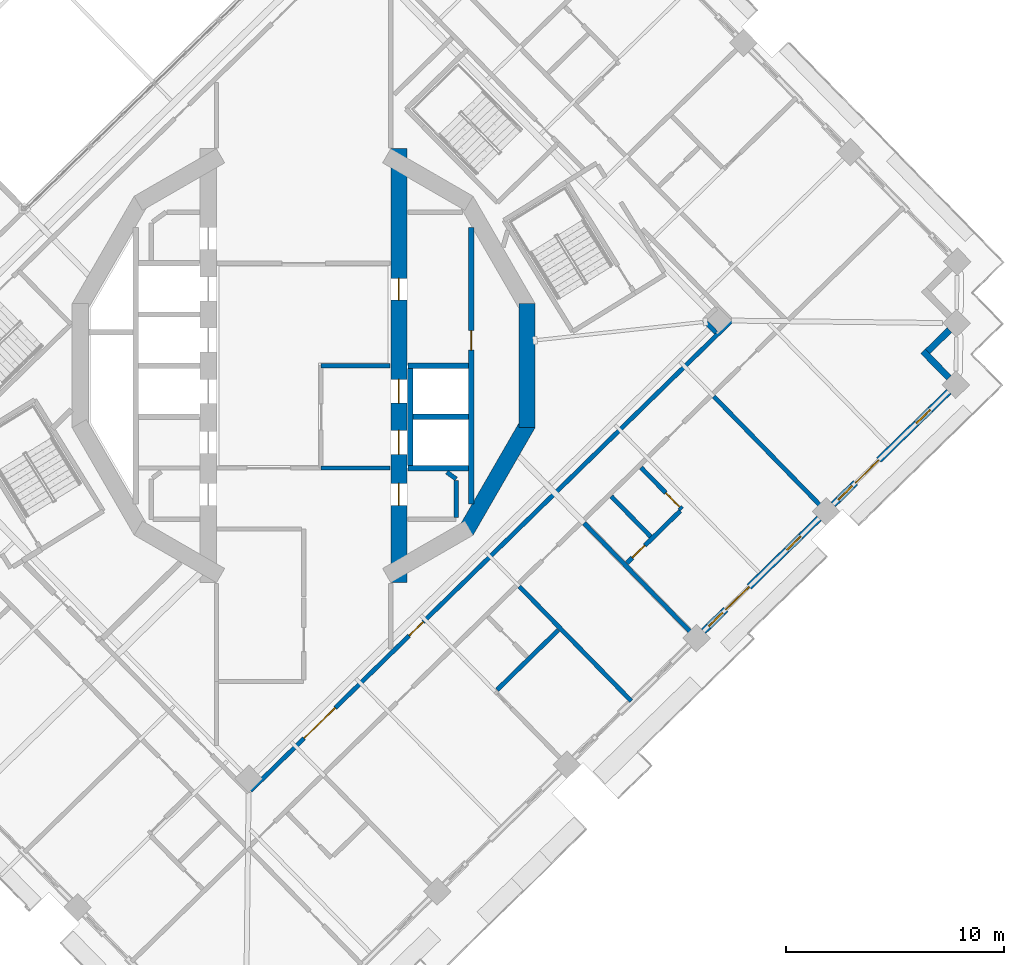
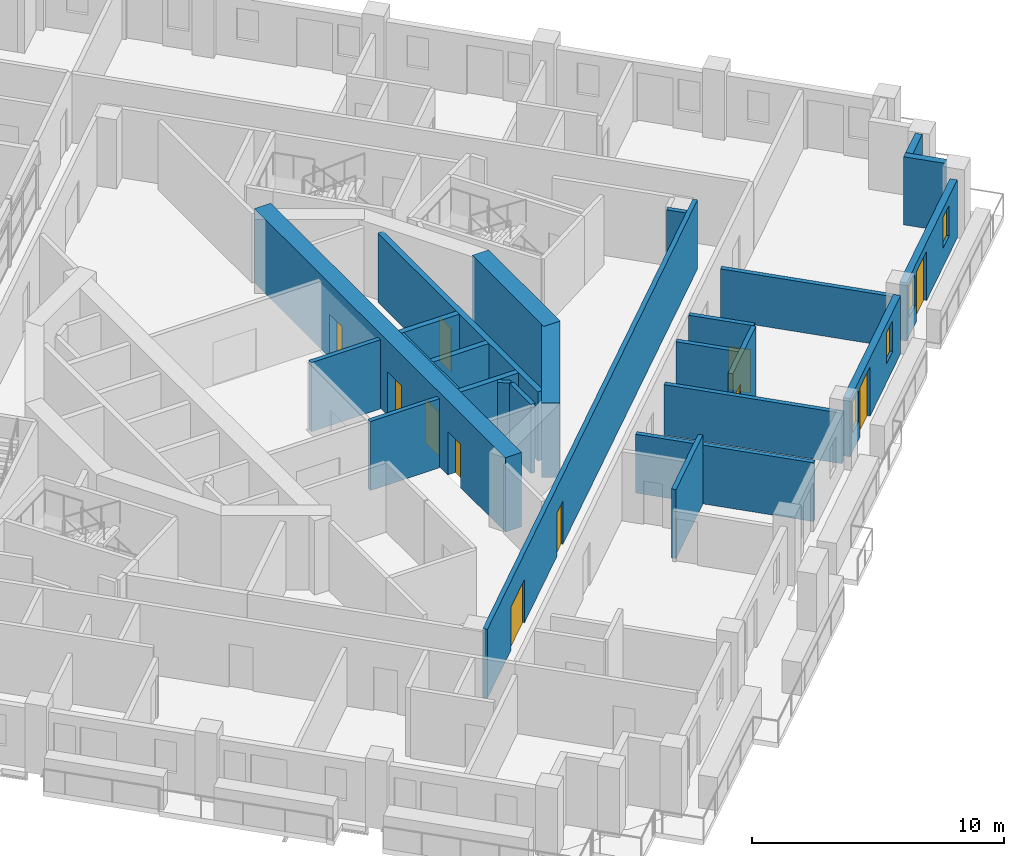
# One storey, part 8 of 19: 25 walls, 11 doors, 4 windows, 15 openings.
"""IFC4 building model written with IfcOpenShell, lengths in metres."""

from ifc_helpers import new_model, si_unit, direction, frame, frame_2d, origin, place, context, subcontext, project, spatial, rectangle, extrude, material, layer, layer_set, type_object, element, fill, save


model = new_model("IFC4")

# Units and contexts
model_context = context("Model", 3, precision=1e-05, world=origin(), true_north=direction((0.0, 1.0)))
body_context = subcontext(model_context, "Body", "Model", "MODEL_VIEW")
ifc_project = project(units=[si_unit("LENGTHUNIT", "METRE"), si_unit("AREAUNIT", "SQUARE_METRE"), si_unit("VOLUMEUNIT", "CUBIC_METRE"), si_unit("PLANEANGLEUNIT", "RADIAN"), si_unit("MASSUNIT", "GRAM", prefix="KILO")], contexts=[model_context])

# Site, building, storey
site_placement = place(None, origin())
site = spatial("IfcSite", under=ifc_project, at=site_placement, CompositionType="ELEMENT")
building_placement = place(site_placement, origin())
building = spatial("IfcBuilding", under=site, at=building_placement, Name="Cantera Rosa Tower", CompositionType="ELEMENT")
storey_placement = place(building_placement, frame((0.0, 0.0, 223.39990234375)))
storey = spatial("IfcBuildingStorey", under=building, at=storey_placement, Name="L48", CompositionType="ELEMENT", Elevation=223.39990234375)

# Wall, openings, doors
ifc_material_1 = material(Name="Gypsum board partition")
ifc_layer_1 = layer(ifc_material_1, 0.199951171875)
ifc_layer_set_1 = layer_set([ifc_layer_1], Name="CORRIDOR WALL 200 H3350")
wall_type_1 = type_object("IfcWallType", Name="CORRIDOR WALL 200 H3350", PredefinedType="PARTITIONING", material=ifc_layer_set_1)
wall_1_placement = place(storey_placement, frame((-2.4404296875, -19.51025390625, 0.0), z_axis=(0.0, 0.0, 1.0), x_axis=(0.715289138653, 0.698828625719, 0.0)))
wall_1 = element("IfcWall", 1, at=wall_1_placement, inside=storey, type_object=wall_type_1, Name="CORRIDOR WALL L48-059", PredefinedType="PARTITIONING", context=body_context, shape_type="SweptSolid", body=[
    extrude(rectangle(XDim=30.880126953125, YDim=0.199951171875, at=frame_2d((15.43994140625, 0.0))), origin(), (0.0, 0.0, 1.0), 3.35009765625),
])
opening_1_placement = place(wall_1_placement, frame((10.1845703125, 0.0, 0.0)))
opening_1 = element("IfcOpeningElement", 2, at=opening_1_placement, cuts=wall_1, Name="Opening L48-011", PredefinedType="OPENING", context=body_context, shape_type="SweptSolid", body=[
    extrude(rectangle(XDim=0.89990234375, YDim=2.10009765625, at=frame_2d((0.449951171875, 1.050048828125))), frame((0.0, 0.10986328125, 0.0), z_axis=(0.0, -1.0, 0.0), x_axis=(1.0, 0.0, 0.0)), (0.0, 0.0, 1.0), 0.219970703125),
])
opening_2_placement = place(wall_1_placement, frame((3.44189453125, 0.0, 0.0)))
opening_2 = element("IfcOpeningElement", 3, at=opening_2_placement, cuts=wall_1, Name="Opening L48-014", PredefinedType="OPENING", context=body_context, shape_type="SweptSolid", body=[
    extrude(rectangle(XDim=2.0, YDim=2.10009765625, at=frame_2d((1.0, 1.050048828125))), frame((0.0, 0.10986328125, 0.0), z_axis=(0.0, -1.0, 0.0), x_axis=(1.0, 0.0, 0.0)), (0.0, 0.0, 1.0), 0.219970703125),
])
ifc_material_2 = material(Name="Steel S355J2 (EN 10025-2)", Category="steel")
door_type_1 = type_object("IfcDoorType", Name="LOBBY SCREEN DOOR 2000x2100", OperationType="NOTDEFINED", PredefinedType="DOOR", material=ifc_material_2)
door_1_placement = place(opening_2_placement, origin())
door_1 = element("IfcDoor", 4, at=door_1_placement, inside=storey, type_object=door_type_1, Name="DOOR L48-014", OperationType="NOTDEFINED", OverallHeight=2.10009765625, OverallWidth=2.0, PredefinedType="DOOR", context=body_context, shape_type="SweptSolid", body=[
    extrude(rectangle(XDim=2.0, YDim=2.10009765625, at=frame_2d((1.0, 1.050048828125))), frame((0.0, 0.02490234375, 0.0), z_axis=(0.0, -1.0, 0.0), x_axis=(1.0, 0.0, 0.0)), (0.0, 0.0, 1.0), 0.050048828125),
])
fill(opening_2, door_1)
ifc_material_3 = material(Name="Timber door leaf", Category="wood")
door_type_2 = type_object("IfcDoorType", Name="SERVICE DOOR 900x2100", OperationType="NOTDEFINED", PredefinedType="DOOR", material=ifc_material_3)
door_2_placement = place(opening_1_placement, origin())
door_2 = element("IfcDoor", 5, at=door_2_placement, inside=storey, type_object=door_type_2, Name="DOOR L48-011", OperationType="NOTDEFINED", OverallHeight=2.10009765625, OverallWidth=0.89990234375, PredefinedType="DOOR", context=body_context, shape_type="SweptSolid", body=[
    extrude(rectangle(XDim=0.89990234375, YDim=2.10009765625, at=frame_2d((0.449951171875, 1.050048828125))), frame((0.0, 0.02490234375, 0.0), z_axis=(0.0, -1.0, 0.0), x_axis=(1.0, 0.0, 0.0)), (0.0, 0.0, 1.0), 0.050048828125),
])
fill(opening_1, door_2)

# Walls
ifc_material_4 = material(Name="Hollow clay masonry with cantera stone cladding", Category="masonry")
ifc_layer_2 = layer(ifc_material_4, 0.300048828125)
ifc_layer_set_2 = layer_set([ifc_layer_2], Name="EW-LOGGIA 300")
wall_type_2 = type_object("IfcWallType", Name="EW-LOGGIA 300", PredefinedType="SOLIDWALL", material=ifc_layer_set_2)
wall_2_placement = place(storey_placement, frame((29.623291015625, -0.556884765625, 0.0), z_axis=(0.0, 0.0, 1.0), x_axis=(-0.69880105094, 0.715316077832, 0.0)))
element("IfcWall", 6, at=wall_2_placement, inside=storey, type_object=wall_type_2, Name="EN-L48-W26a", PredefinedType="SOLIDWALL", context=body_context, shape_type="SweptSolid", body=[
    extrude(rectangle(XDim=1.699951171875, YDim=0.300048828125, at=frame_2d((0.85009765625, 0.0))), origin(), (0.0, 0.0, 1.0), 3.300048828125),
])
wall_3_placement = place(storey_placement, frame((28.6474609375, 0.65673828125, 0.0), z_axis=(0.0, 0.0, 1.0), x_axis=(0.715341715727, 0.698774806172, 0.0)))
element("IfcWall", 7, at=wall_3_placement, inside=storey, type_object=wall_type_2, Name="EN-L48-W26b", PredefinedType="SOLIDWALL", context=body_context, shape_type="SweptSolid", body=[
    extrude(rectangle(XDim=1.39990234375, YDim=0.300048828125, at=frame_2d((0.699951171875, 0.0))), origin(), (0.0, 0.0, 1.0), 3.300048828125),
])

# Wall, openings, windows, door
ifc_material_5 = material(Name="Hollow clay masonry with cantera stone cladding", Category="masonry")
ifc_layer_3 = layer(ifc_material_5, 0.300048828125)
ifc_layer_set_3 = layer_set([ifc_layer_3], Name="EW-LOGGIA 300 H2820")
wall_type_3 = type_object("IfcWallType", Name="EW-LOGGIA 300 H2820", PredefinedType="SOLIDWALL", material=ifc_layer_set_3)
wall_4_placement = place(storey_placement, frame((18.357177734375, -12.19287109375, 0.0), z_axis=(0.0, 0.0, 1.0), x_axis=(0.715300826176, 0.698816662703, 0.0)))
wall_4 = element("IfcWall", 8, at=wall_4_placement, inside=storey, type_object=wall_type_3, Name="EN-L48-W24", PredefinedType="SOLIDWALL", context=body_context, shape_type="SweptSolid", body=[
    extrude(rectangle(XDim=7.420166015625, YDim=0.300048828125, at=frame_2d((3.7099609375, 0.0))), origin(), (0.0, 0.0, 1.0), 2.820068359375),
])
opening_3_placement = place(wall_4_placement, frame((0.330078125, 0.0, 0.89990234375)))
opening_3 = element("IfcOpeningElement", 9, at=opening_3_placement, cuts=wall_4, Name="Opening L48-W46", PredefinedType="OPENING", context=body_context, shape_type="SweptSolid", body=[
    extrude(rectangle(XDim=0.89990234375, YDim=1.5, at=frame_2d((0.449951171875, 0.75))), frame((0.0, 0.159912109375, 0.0), z_axis=(0.0, -1.0, 0.0), x_axis=(1.0, 0.0, 0.0)), (0.0, 0.0, 1.0), 0.320068359375),
])
opening_4_placement = place(wall_4_placement, frame((1.429931640625, 0.0, 0.0)))
opening_4 = element("IfcOpeningElement", 10, at=opening_4_placement, cuts=wall_4, Name="Opening L48-TD47", PredefinedType="OPENING", context=body_context, shape_type="SweptSolid", body=[
    extrude(rectangle(XDim=1.5, YDim=2.39990234375, at=frame_2d((0.75, 1.199951171875))), frame((0.0, 0.159912109375, 0.0), z_axis=(0.0, -1.0, 0.0), x_axis=(1.0, 0.0, 0.0)), (0.0, 0.0, 1.0), 0.320068359375),
])
opening_5_placement = place(wall_4_placement, frame((5.340087890625, 0.0, 0.89990234375)))
opening_5 = element("IfcOpeningElement", 11, at=opening_5_placement, cuts=wall_4, Name="Opening L48-W48", PredefinedType="OPENING", context=body_context, shape_type="SweptSolid", body=[
    extrude(rectangle(XDim=0.89990234375, YDim=1.5, at=frame_2d((0.449951171875, 0.75))), frame((0.0, 0.159912109375, 0.0), z_axis=(0.0, -1.0, 0.0), x_axis=(1.0, 0.0, 0.0)), (0.0, 0.0, 1.0), 0.320068359375),
])
ifc_material_6 = material(Name="Aluminium frame with clear glass", Category="aluminium")
window_type = type_object("IfcWindowType", Name="Residential window 900x1500", PartitioningType="SINGLE_PANEL", PredefinedType="WINDOW", material=ifc_material_6)
window_1_placement = place(opening_3_placement, origin())
window_1 = element("IfcWindow", 12, at=window_1_placement, inside=storey, type_object=window_type, Name="WINDOW L48-W46", OverallHeight=1.5, OverallWidth=0.89990234375, PartitioningType="SINGLE_PANEL", PredefinedType="WINDOW", context=body_context, shape_type="SweptSolid", body=[
    extrude(rectangle(XDim=0.89990234375, YDim=1.5, at=frame_2d((0.449951171875, 0.75))), frame((0.0, 0.030029296875, 0.0), z_axis=(0.0, -1.0, 0.0), x_axis=(1.0, 0.0, 0.0)), (0.0, 0.0, 1.0), 0.06005859375),
])
fill(opening_3, window_1)
window_2_placement = place(opening_5_placement, origin())
window_2 = element("IfcWindow", 13, at=window_2_placement, inside=storey, type_object=window_type, Name="WINDOW L48-W48", OverallHeight=1.5, OverallWidth=0.89990234375, PartitioningType="SINGLE_PANEL", PredefinedType="WINDOW", context=body_context, shape_type="SweptSolid", body=[
    extrude(rectangle(XDim=0.89990234375, YDim=1.5, at=frame_2d((0.449951171875, 0.75))), frame((0.0, 0.030029296875, 0.0), z_axis=(0.0, -1.0, 0.0), x_axis=(1.0, 0.0, 0.0)), (0.0, 0.0, 1.0), 0.06005859375),
])
fill(opening_5, window_2)
ifc_material_7 = material(Name="Aluminium frame with clear glass", Category="aluminium")
door_type_3 = type_object("IfcDoorType", Name="TD-R 1500x2400", OperationType="NOTDEFINED", PredefinedType="DOOR", material=ifc_material_7)
door_3_placement = place(opening_4_placement, origin())
door_3 = element("IfcDoor", 14, at=door_3_placement, inside=storey, type_object=door_type_3, Name="LOGGIA DOOR L48-TD47", OperationType="SLIDING_TO_LEFT", OverallHeight=2.39990234375, OverallWidth=1.5, PredefinedType="DOOR", context=body_context, shape_type="SweptSolid", body=[
    extrude(rectangle(XDim=1.5, YDim=2.39990234375, at=frame_2d((0.75, 1.199951171875))), frame((0.0, 0.02490234375, 0.0), z_axis=(0.0, -1.0, 0.0), x_axis=(1.0, 0.0, 0.0)), (0.0, 0.0, 1.0), 0.050048828125),
])
fill(opening_4, door_3)

wall_5_placement = place(storey_placement, frame((24.308349609375, -6.37841796875, 0.0), z_axis=(0.0, 0.0, 1.0), x_axis=(0.715300826176, 0.698816662703, 0.0)))
wall_5 = element("IfcWall", 15, at=wall_5_placement, inside=storey, type_object=wall_type_3, Name="EN-L48-W25", PredefinedType="SOLIDWALL", context=body_context, shape_type="SweptSolid", body=[
    extrude(rectangle(XDim=7.420166015625, YDim=0.300048828125, at=frame_2d((3.7099609375, 0.0))), origin(), (0.0, 0.0, 1.0), 2.820068359375),
])
opening_6_placement = place(wall_5_placement, frame((0.330078125, 0.0, 0.89990234375)))
opening_6 = element("IfcOpeningElement", 16, at=opening_6_placement, cuts=wall_5, Name="Opening L48-W49", PredefinedType="OPENING", context=body_context, shape_type="SweptSolid", body=[
    extrude(rectangle(XDim=0.89990234375, YDim=1.5, at=frame_2d((0.449951171875, 0.75))), frame((0.0, 0.159912109375, 0.0), z_axis=(0.0, -1.0, 0.0), x_axis=(1.0, 0.0, 0.0)), (0.0, 0.0, 1.0), 0.320068359375),
])
opening_7_placement = place(wall_5_placement, frame((1.429931640625, 0.0, 0.0)))
opening_7 = element("IfcOpeningElement", 17, at=opening_7_placement, cuts=wall_5, Name="Opening L48-TD50", PredefinedType="OPENING", context=body_context, shape_type="SweptSolid", body=[
    extrude(rectangle(XDim=1.5, YDim=2.39990234375, at=frame_2d((0.75, 1.199951171875))), frame((0.0, 0.159912109375, 0.0), z_axis=(0.0, -1.0, 0.0), x_axis=(1.0, 0.0, 0.0)), (0.0, 0.0, 1.0), 0.320068359375),
])
opening_8_placement = place(wall_5_placement, frame((5.340087890625, 0.0, 0.89990234375)))
opening_8 = element("IfcOpeningElement", 18, at=opening_8_placement, cuts=wall_5, Name="Opening L48-W51", PredefinedType="OPENING", context=body_context, shape_type="SweptSolid", body=[
    extrude(rectangle(XDim=0.89990234375, YDim=1.5, at=frame_2d((0.449951171875, 0.75))), frame((0.0, 0.159912109375, 0.0), z_axis=(0.0, -1.0, 0.0), x_axis=(1.0, 0.0, 0.0)), (0.0, 0.0, 1.0), 0.320068359375),
])
window_3_placement = place(opening_6_placement, origin())
window_3 = element("IfcWindow", 19, at=window_3_placement, inside=storey, type_object=window_type, Name="WINDOW L48-W49", OverallHeight=1.5, OverallWidth=0.89990234375, PartitioningType="SINGLE_PANEL", PredefinedType="WINDOW", context=body_context, shape_type="SweptSolid", body=[
    extrude(rectangle(XDim=0.89990234375, YDim=1.5, at=frame_2d((0.449951171875, 0.75))), frame((0.0, 0.030029296875, 0.0), z_axis=(0.0, -1.0, 0.0), x_axis=(1.0, 0.0, 0.0)), (0.0, 0.0, 1.0), 0.06005859375),
])
fill(opening_6, window_3)
window_4_placement = place(opening_8_placement, origin())
window_4 = element("IfcWindow", 20, at=window_4_placement, inside=storey, type_object=window_type, Name="WINDOW L48-W51", OverallHeight=1.5, OverallWidth=0.89990234375, PartitioningType="SINGLE_PANEL", PredefinedType="WINDOW", context=body_context, shape_type="SweptSolid", body=[
    extrude(rectangle(XDim=0.89990234375, YDim=1.5, at=frame_2d((0.449951171875, 0.75))), frame((0.0, 0.030029296875, 0.0), z_axis=(0.0, -1.0, 0.0), x_axis=(1.0, 0.0, 0.0)), (0.0, 0.0, 1.0), 0.06005859375),
])
fill(opening_8, window_4)
door_4_placement = place(opening_7_placement, origin())
door_4 = element("IfcDoor", 21, at=door_4_placement, inside=storey, type_object=door_type_3, Name="LOGGIA DOOR L48-TD50", OperationType="SLIDING_TO_LEFT", OverallHeight=2.39990234375, OverallWidth=1.5, PredefinedType="DOOR", context=body_context, shape_type="SweptSolid", body=[
    extrude(rectangle(XDim=1.5, YDim=2.39990234375, at=frame_2d((0.75, 1.199951171875))), frame((0.0, 0.02490234375, 0.0), z_axis=(0.0, -1.0, 0.0), x_axis=(1.0, 0.0, 0.0)), (0.0, 0.0, 1.0), 0.050048828125),
])
fill(opening_7, door_4)

# Walls
ifc_material_8 = material(Name="Gypsum board partition")
ifc_layer_4 = layer(ifc_material_8, 0.199951171875)
ifc_layer_set_4 = layer_set([ifc_layer_4], Name="PARTITION 200 H3350")
wall_type_4 = type_object("IfcWallType", Name="PARTITION 200 H3350", PredefinedType="PARTITIONING", material=ifc_layer_set_4)
wall_6_placement = place(storey_placement, frame((6.572509765625, -4.888427734375, 0.0), z_axis=(0.0, 0.0, 1.0), x_axis=(0.808176867567, -0.588939853236, 0.0)))
element("IfcWall", 22, at=wall_6_placement, inside=storey, type_object=wall_type_4, Name="PARTITION L48-086", PredefinedType="PARTITIONING", context=body_context, shape_type="SweptSolid", body=[
    extrude(rectangle(XDim=0.529052734375, YDim=0.199951171875, at=frame_2d((0.2646484375, 0.0))), origin(), (0.0, 0.0, 1.0), 3.35009765625),
])
wall_7_placement = place(storey_placement, frame((7.0, -5.280029296875, 0.0), z_axis=(0.0, 0.0, 1.0), x_axis=(0.0, -1.0, 0.0)))
element("IfcWall", 23, at=wall_7_placement, inside=storey, type_object=wall_type_4, Name="PARTITION L48-089", PredefinedType="PARTITIONING", context=body_context, shape_type="SweptSolid", body=[
    extrude(rectangle(XDim=1.68994140625, YDim=0.199951171875, at=frame_2d((0.844970703125, 0.0))), origin(), (0.0, 0.0, 1.0), 3.35009765625),
])
wall_8_placement = place(storey_placement, frame((11.689453125, -12.136474609375, 0.0), z_axis=(0.0, 0.0, 1.0), x_axis=(-0.715279883124, -0.698838099132, 0.0)))
element("IfcWall", 24, at=wall_8_placement, inside=storey, type_object=wall_type_4, Name="PARTITION L48-102", PredefinedType="PARTITIONING", context=body_context, shape_type="SweptSolid", body=[
    extrude(rectangle(XDim=3.920166015625, YDim=0.199951171875, at=frame_2d((1.9599609375, 0.0))), origin(), (0.0, 0.0, 1.0), 3.35009765625),
])
wall_9_placement = place(storey_placement, frame((14.1298828125, -6.005615234375, 0.0), z_axis=(0.0, 0.0, 1.0), x_axis=(0.698826236875, -0.715291472517, 0.0)))
element("IfcWall", 25, at=wall_9_placement, inside=storey, type_object=wall_type_4, Name="PARTITION L48-112", PredefinedType="PARTITIONING", context=body_context, shape_type="SweptSolid", body=[
    extrude(rectangle(XDim=2.580078125, YDim=0.199951171875, at=frame_2d((1.2900390625, 0.0))), origin(), (0.0, 0.0, 1.0), 3.35009765625),
])

# Wall, opening, door
wall_10_placement = place(storey_placement, frame((15.48876953125, -4.677734375, 0.0), z_axis=(0.0, 0.0, 1.0), x_axis=(0.698860936735, -0.715257569765, 0.0)))
wall_10 = element("IfcWall", 26, at=wall_10_placement, inside=storey, type_object=wall_type_4, Name="PARTITION L48-116", PredefinedType="PARTITIONING", context=body_context, shape_type="SweptSolid", body=[
    extrude(rectangle(XDim=2.68017578125, YDim=0.199951171875, at=frame_2d((1.340087890625, 0.0))), origin(), (0.0, 0.0, 1.0), 3.35009765625),
])
opening_9_placement = place(wall_10_placement, frame((1.6298828125, 0.0, 0.0)))
opening_9 = element("IfcOpeningElement", 27, at=opening_9_placement, cuts=wall_10, Name="Opening L48-048", PredefinedType="OPENING", context=body_context, shape_type="SweptSolid", body=[
    extrude(rectangle(XDim=0.89990234375, YDim=2.10009765625, at=frame_2d((0.449951171875, 1.050048828125))), frame((0.0, 0.10986328125, 0.0), z_axis=(0.0, -1.0, 0.0), x_axis=(1.0, 0.0, 0.0)), (0.0, 0.0, 1.0), 0.219970703125),
])
ifc_material_9 = material(Name="Timber door leaf", Category="wood")
door_type_4 = type_object("IfcDoorType", Name="ROOM DOOR 900x2100", OperationType="NOTDEFINED", PredefinedType="DOOR", material=ifc_material_9)
door_5_placement = place(opening_9_placement, origin())
door_5 = element("IfcDoor", 28, at=door_5_placement, inside=storey, type_object=door_type_4, Name="DOOR L48-048", OperationType="NOTDEFINED", OverallHeight=2.10009765625, OverallWidth=0.89990234375, PredefinedType="DOOR", context=body_context, shape_type="SweptSolid", body=[
    extrude(rectangle(XDim=0.89990234375, YDim=2.10009765625, at=frame_2d((0.449951171875, 1.050048828125))), frame((0.0, 0.02490234375, 0.0), z_axis=(0.0, -1.0, 0.0), x_axis=(1.0, 0.0, 0.0)), (0.0, 0.0, 1.0), 0.050048828125),
])
fill(opening_9, door_5)

wall_11_placement = place(storey_placement, frame((17.290283203125, -6.66455078125, 0.0), z_axis=(0.0, 0.0, 1.0), x_axis=(-0.715314949275, -0.698802206167, 0.0)))
wall_11 = element("IfcWall", 29, at=wall_11_placement, inside=storey, type_object=wall_type_4, Name="PARTITION L48-120", PredefinedType="PARTITIONING", context=body_context, shape_type="SweptSolid", body=[
    extrude(rectangle(XDim=3.43017578125, YDim=0.199951171875, at=frame_2d((1.715087890625, 0.0))), origin(), (0.0, 0.0, 1.0), 3.35009765625),
])
opening_10_placement = place(wall_11_placement, frame((2.27490234375, 0.0, 0.0)))
opening_10 = element("IfcOpeningElement", 30, at=opening_10_placement, cuts=wall_11, Name="Opening L48-047", PredefinedType="OPENING", context=body_context, shape_type="SweptSolid", body=[
    extrude(rectangle(XDim=0.800048828125, YDim=2.10009765625, at=frame_2d((0.39990234375, 1.050048828125))), frame((0.0, 0.10986328125, 0.0), z_axis=(0.0, -1.0, 0.0), x_axis=(1.0, 0.0, 0.0)), (0.0, 0.0, 1.0), 0.219970703125),
])
ifc_material_10 = material(Name="Timber door leaf", Category="wood")
door_type_5 = type_object("IfcDoorType", Name="BATHROOM DOOR 800x2100", OperationType="NOTDEFINED", PredefinedType="DOOR", material=ifc_material_10)
door_6_placement = place(opening_10_placement, origin())
door_6 = element("IfcDoor", 31, at=door_6_placement, inside=storey, type_object=door_type_5, Name="DOOR L48-047", OperationType="NOTDEFINED", OverallHeight=2.10009765625, OverallWidth=0.800048828125, PredefinedType="DOOR", context=body_context, shape_type="SweptSolid", body=[
    extrude(rectangle(XDim=0.800048828125, YDim=2.10009765625, at=frame_2d((0.39990234375, 1.050048828125))), frame((0.0, 0.02490234375, 0.0), z_axis=(0.0, -1.0, 0.0), x_axis=(1.0, 0.0, 0.0)), (0.0, 0.0, 1.0), 0.050048828125),
])
fill(opening_10, door_6)

# Walls
wall_12_placement = place(storey_placement, frame((18.375, 2.08447265625, 0.0), z_axis=(0.0, 0.0, 1.0), x_axis=(0.698819420598, -0.715298131827, 0.0)))
element("IfcWall", 32, at=wall_12_placement, inside=storey, type_object=wall_type_4, Name="PARTITION L48-122", PredefinedType="PARTITIONING", context=body_context, shape_type="SweptSolid", body=[
    extrude(rectangle(XDim=0.800048828125, YDim=0.199951171875, at=frame_2d((0.39990234375, 0.0))), origin(), (0.0, 0.0, 1.0), 3.35009765625),
])
ifc_material_11 = material(Name="Gypsum board partition")
ifc_layer_5 = layer(ifc_material_11, 0.199951171875)
ifc_layer_set_5 = layer_set([ifc_layer_5], Name="PARTY WALL 200 H2450")
wall_type_5 = type_object("IfcWallType", Name="PARTY WALL 200 H2450", PredefinedType="PARTITIONING", material=ifc_layer_set_5)
wall_13_placement = place(storey_placement, frame((12.8779296875, -7.228515625, 0.0), z_axis=(0.0, 0.0, 1.0), x_axis=(0.698837952642, -0.715280026246, 0.0)))
element("IfcWall", 33, at=wall_13_placement, inside=storey, type_object=wall_type_5, Name="PARTY WALL L48-109", PredefinedType="PARTITIONING", context=body_context, shape_type="SweptSolid", body=[
    extrude(rectangle(XDim=7.35009765625, YDim=0.199951171875, at=frame_2d((3.675048828125, 0.0))), origin(), (0.0, 0.0, 1.0), 2.4501953125),
])
wall_14_placement = place(storey_placement, frame((18.8291015625, -1.414306640625, 0.0), z_axis=(0.0, 0.0, 1.0), x_axis=(0.698854556514, -0.71526380367, 0.0)))
element("IfcWall", 34, at=wall_14_placement, inside=storey, type_object=wall_type_5, Name="PARTY WALL L48-123", PredefinedType="PARTITIONING", context=body_context, shape_type="SweptSolid", body=[
    extrude(rectangle(XDim=7.349853515625, YDim=0.199951171875, at=frame_2d((3.6748046875, 0.0))), origin(), (0.0, 0.0, 1.0), 2.4501953125),
])
ifc_material_12 = material(Name="Gypsum board partition")
ifc_layer_6 = layer(ifc_material_12, 0.199951171875)
ifc_layer_set_6 = layer_set([ifc_layer_6], Name="PARTY WALL 200 H2850")
wall_type_6 = type_object("IfcWallType", Name="PARTY WALL 200 H2850", PredefinedType="PARTITIONING", material=ifc_layer_set_6)
wall_15_placement = place(storey_placement, frame((9.90234375, -10.135498046875, 0.0), z_axis=(0.0, 0.0, 1.0), x_axis=(0.698821349183, -0.715296247667, 0.0)))
element("IfcWall", 35, at=wall_15_placement, inside=storey, type_object=wall_type_6, Name="PARTY WALL L48-097", PredefinedType="PARTITIONING", context=body_context, shape_type="SweptSolid", body=[
    extrude(rectangle(XDim=7.35009765625, YDim=0.199951171875, at=frame_2d((3.675048828125, 0.0))), origin(), (0.0, 0.0, 1.0), 2.85009765625),
])
ifc_material_13 = material(Name="Concrete C60/75", Category="concrete")
ifc_layer_7 = layer(ifc_material_13, 0.75)
ifc_layer_set_7 = layer_set([ifc_layer_7], Name="RC CORE WALL 750 C60/75")
wall_type_7 = type_object("IfcWallType", Name="RC CORE WALL 750 C60/75", PredefinedType="SHEAR", material=ifc_layer_set_7)
wall_16_placement = place(storey_placement, frame((10.250244140625, 2.846923828125, 0.0), z_axis=(0.0, 0.0, 1.0), x_axis=(0.0, -1.0, 0.0)))
element("IfcWall", 36, at=wall_16_placement, inside=storey, type_object=wall_type_7, Name="CW-E3 L48", PredefinedType="SHEAR", context=body_context, shape_type="SweptSolid", body=[
    extrude(rectangle(XDim=5.69384765625, YDim=0.75, at=frame_2d((2.846923828125, 0.0))), origin(), (0.0, 0.0, 1.0), 3.60009765625),
])
wall_17_placement = place(storey_placement, frame((10.300537109375, -2.659423828125, 0.0), z_axis=(0.0, 0.0, 1.0), x_axis=(-0.500021842983, -0.866012792365, 0.0)))
element("IfcWall", 37, at=wall_17_placement, inside=storey, type_object=wall_type_7, Name="CW-E4 L48", PredefinedType="SHEAR", context=body_context, shape_type="SweptSolid", body=[
    extrude(rectangle(XDim=5.694091796875, YDim=0.75, at=frame_2d((2.84716796875, 0.0))), origin(), (0.0, 0.0, 1.0), 3.60009765625),
])

# Wall, openings, doors
wall_18_placement = place(storey_placement, frame((4.375, -9.95947265625, 0.0), z_axis=(0.0, 0.0, 1.0), x_axis=(0.0, 1.0, 0.0)))
wall_18 = element("IfcWall", 38, at=wall_18_placement, inside=storey, type_object=wall_type_7, Name="CW-E6 L48", PredefinedType="SHEAR", context=body_context, shape_type="SweptSolid", body=[
    extrude(rectangle(XDim=19.9189453125, YDim=0.75, at=frame_2d((9.95947265625, 0.0))), origin(), (0.0, 0.0, 1.0), 3.60009765625),
])
opening_11_placement = place(wall_18_placement, frame((5.884521484375, 0.0, 0.0)))
opening_11 = element("IfcOpeningElement", 39, at=opening_11_placement, cuts=wall_18, Name="Opening LD-FF1-L48", PredefinedType="OPENING", context=body_context, shape_type="SweptSolid", body=[
    extrude(rectangle(XDim=1.10009765625, YDim=2.10009765625, at=frame_2d((0.550048828125, 1.050048828125))), frame((0.0, 0.385009765625, 0.0), z_axis=(0.0, -1.0, 0.0), x_axis=(1.0, 0.0, 0.0)), (0.0, 0.0, 1.0), 0.77001953125),
])
opening_12_placement = place(wall_18_placement, frame((8.234619140625, 0.0, 0.0)))
opening_12 = element("IfcOpeningElement", 40, at=opening_12_placement, cuts=wall_18, Name="Opening LD-FF2-L48", PredefinedType="OPENING", context=body_context, shape_type="SweptSolid", body=[
    extrude(rectangle(XDim=1.10009765625, YDim=2.10009765625, at=frame_2d((0.550048828125, 1.050048828125))), frame((0.0, 0.385009765625, 0.0), z_axis=(0.0, -1.0, 0.0), x_axis=(1.0, 0.0, 0.0)), (0.0, 0.0, 1.0), 0.77001953125),
])
opening_13_placement = place(wall_18_placement, frame((3.55078125, 0.0, 0.0)))
opening_13 = element("IfcOpeningElement", 41, at=opening_13_placement, cuts=wall_18, Name="Opening SD-L48-21", PredefinedType="OPENING", context=body_context, shape_type="SweptSolid", body=[
    extrude(rectangle(XDim=1.0, YDim=2.10009765625, at=frame_2d((0.5, 1.050048828125))), frame((0.0, 0.385009765625, 0.0), z_axis=(0.0, -1.0, 0.0), x_axis=(1.0, 0.0, 0.0)), (0.0, 0.0, 1.0), 0.77001953125),
])
opening_14_placement = place(wall_18_placement, frame((12.9658203125, 0.0, 0.0)))
opening_14 = element("IfcOpeningElement", 42, at=opening_14_placement, cuts=wall_18, Name="Opening SD-L48-22", PredefinedType="OPENING", context=body_context, shape_type="SweptSolid", body=[
    extrude(rectangle(XDim=1.0, YDim=2.10009765625, at=frame_2d((0.5, 1.050048828125))), frame((0.0, 0.385009765625, 0.0), z_axis=(0.0, -1.0, 0.0), x_axis=(1.0, 0.0, 0.0)), (0.0, 0.0, 1.0), 0.77001953125),
])
ifc_material_14 = material(Name="Steel S355J2 (EN 10025-2)", Category="steel")
door_type_6 = type_object("IfcDoorType", Name="LANDING DOOR 1100x2100", OperationType="NOTDEFINED", PredefinedType="DOOR", material=ifc_material_14)
door_7_placement = place(opening_11_placement, origin())
door_7 = element("IfcDoor", 43, at=door_7_placement, inside=storey, type_object=door_type_6, Name="LANDING DOOR FF1 L48", OperationType="SLIDING_TO_LEFT", OverallHeight=2.10009765625, OverallWidth=1.10009765625, PredefinedType="DOOR", context=body_context, shape_type="SweptSolid", body=[
    extrude(rectangle(XDim=1.10009765625, YDim=2.10009765625, at=frame_2d((0.550048828125, 1.050048828125))), frame((0.0, 0.02490234375, 0.0), z_axis=(0.0, -1.0, 0.0), x_axis=(1.0, 0.0, 0.0)), (0.0, 0.0, 1.0), 0.050048828125),
])
fill(opening_11, door_7)
door_8_placement = place(opening_12_placement, origin())
door_8 = element("IfcDoor", 44, at=door_8_placement, inside=storey, type_object=door_type_6, Name="LANDING DOOR FF2 L48", OperationType="SLIDING_TO_LEFT", OverallHeight=2.10009765625, OverallWidth=1.10009765625, PredefinedType="DOOR", context=body_context, shape_type="SweptSolid", body=[
    extrude(rectangle(XDim=1.10009765625, YDim=2.10009765625, at=frame_2d((0.550048828125, 1.050048828125))), frame((0.0, 0.02490234375, 0.0), z_axis=(0.0, -1.0, 0.0), x_axis=(1.0, 0.0, 0.0)), (0.0, 0.0, 1.0), 0.050048828125),
])
fill(opening_12, door_8)
ifc_material_15 = material(Name="Timber door leaf", Category="wood")
door_type_7 = type_object("IfcDoorType", Name="SERVICE DOOR 1000x2100", OperationType="NOTDEFINED", PredefinedType="DOOR", material=ifc_material_15)
door_9_placement = place(opening_13_placement, origin())
door_9 = element("IfcDoor", 45, at=door_9_placement, inside=storey, type_object=door_type_7, Name="DOOR L48-SD21", OperationType="NOTDEFINED", OverallHeight=2.10009765625, OverallWidth=1.0, PredefinedType="DOOR", context=body_context, shape_type="SweptSolid", body=[
    extrude(rectangle(XDim=1.0, YDim=2.10009765625, at=frame_2d((0.5, 1.050048828125))), frame((0.0, 0.02490234375, 0.0), z_axis=(0.0, -1.0, 0.0), x_axis=(1.0, 0.0, 0.0)), (0.0, 0.0, 1.0), 0.050048828125),
])
fill(opening_13, door_9)
door_10_placement = place(opening_14_placement, origin())
door_10 = element("IfcDoor", 46, at=door_10_placement, inside=storey, type_object=door_type_7, Name="DOOR L48-SD22", OperationType="NOTDEFINED", OverallHeight=2.10009765625, OverallWidth=1.0, PredefinedType="DOOR", context=body_context, shape_type="SweptSolid", body=[
    extrude(rectangle(XDim=1.0, YDim=2.10009765625, at=frame_2d((0.5, 1.050048828125))), frame((0.0, 0.02490234375, 0.0), z_axis=(0.0, -1.0, 0.0), x_axis=(1.0, 0.0, 0.0)), (0.0, 0.0, 1.0), 0.050048828125),
])
fill(opening_14, door_10)

# Walls
ifc_material_16 = material(Name="Masonry blockwork", Category="masonry")
ifc_layer_8 = layer(ifc_material_16, 0.25)
ifc_layer_set_8 = layer_set([ifc_layer_8], Name="SHAFT WALL 250 H3350")
wall_type_8 = type_object("IfcWallType", Name="SHAFT WALL 250 H3350", PredefinedType="SOLIDWALL", material=ifc_layer_set_8)
wall_19_placement = place(storey_placement, frame((4.780029296875, 0.0, 0.0), z_axis=(0.0, 0.0, 1.0), x_axis=(1.0, 0.0, 0.0)))
element("IfcWall", 47, at=wall_19_placement, inside=storey, type_object=wall_type_8, Name="SHAFT WALL L48-082", PredefinedType="SOLIDWALL", context=body_context, shape_type="SweptSolid", body=[
    extrude(rectangle(XDim=2.794921875, YDim=0.25, at=frame_2d((1.3974609375, 0.0))), origin(), (0.0, 0.0, 1.0), 3.35009765625),
])
wall_20_placement = place(storey_placement, frame((4.89990234375, -0.125, 0.0), z_axis=(0.0, 0.0, 1.0), x_axis=(0.0, -1.0, 0.0)))
element("IfcWall", 48, at=wall_20_placement, inside=storey, type_object=wall_type_8, Name="SHAFT WALL L48-084", PredefinedType="SOLIDWALL", context=body_context, shape_type="SweptSolid", body=[
    extrude(rectangle(XDim=4.449951171875, YDim=0.25, at=frame_2d((2.22509765625, 0.0))), origin(), (0.0, 0.0, 1.0), 3.35009765625),
])

# Wall, opening, door
wall_21_placement = place(storey_placement, frame((7.699951171875, -6.353515625, 0.0), z_axis=(0.0, 0.0, 1.0), x_axis=(0.0, 1.0, 0.0)))
wall_21 = element("IfcWall", 49, at=wall_21_placement, inside=storey, type_object=wall_type_8, Name="SHAFT WALL L48-091", PredefinedType="SOLIDWALL", context=body_context, shape_type="SweptSolid", body=[
    extrude(rectangle(XDim=12.70703125, YDim=0.25, at=frame_2d((6.353515625, 0.0))), origin(), (0.0, 0.0, 1.0), 3.35009765625),
])
opening_15_placement = place(wall_21_placement, frame((7.063720703125, 0.0, 0.0)))
opening_15 = element("IfcOpeningElement", 50, at=opening_15_placement, cuts=wall_21, Name="Opening L48-058", PredefinedType="OPENING", context=body_context, shape_type="SweptSolid", body=[
    extrude(rectangle(XDim=0.89990234375, YDim=2.10009765625, at=frame_2d((0.449951171875, 1.050048828125))), frame((0.0, 0.135009765625, 0.0), z_axis=(0.0, -1.0, 0.0), x_axis=(1.0, 0.0, 0.0)), (0.0, 0.0, 1.0), 0.27001953125),
])
door_11_placement = place(opening_15_placement, origin())
door_11 = element("IfcDoor", 51, at=door_11_placement, inside=storey, type_object=door_type_2, Name="RISER DOOR L48-058", OperationType="NOTDEFINED", OverallHeight=2.10009765625, OverallWidth=0.89990234375, PredefinedType="DOOR", context=body_context, shape_type="SweptSolid", body=[
    extrude(rectangle(XDim=0.89990234375, YDim=2.10009765625, at=frame_2d((0.449951171875, 1.050048828125))), frame((0.0, 0.02490234375, 0.0), z_axis=(0.0, -1.0, 0.0), x_axis=(1.0, 0.0, 0.0)), (0.0, 0.0, 1.0), 0.050048828125),
])
fill(opening_15, door_11)

# Walls
wall_22_placement = place(storey_placement, frame((7.574951171875, -4.699951171875, 0.0), z_axis=(0.0, 0.0, 1.0), x_axis=(-1.0, 0.0, 0.0)))
element("IfcWall", 52, at=wall_22_placement, inside=storey, type_object=wall_type_8, Name="SHAFT WALL L48-092", PredefinedType="SOLIDWALL", context=body_context, shape_type="SweptSolid", body=[
    extrude(rectangle(XDim=2.794921875, YDim=0.25, at=frame_2d((1.3974609375, 0.0))), origin(), (0.0, 0.0, 1.0), 3.35009765625),
])
wall_23_placement = place(storey_placement, frame((7.574951171875, -2.35009765625, 0.0), z_axis=(0.0, 0.0, 1.0), x_axis=(-1.0, 0.0, 0.0)))
element("IfcWall", 53, at=wall_23_placement, inside=storey, type_object=wall_type_8, Name="SHAFT WALL L48-093", PredefinedType="SOLIDWALL", context=body_context, shape_type="SweptSolid", body=[
    extrude(rectangle(XDim=2.56005859375, YDim=0.25, at=frame_2d((1.280029296875, 0.0))), origin(), (0.0, 0.0, 1.0), 3.35009765625),
])
ifc_material_17 = material(Name="Concrete C50/60", Category="concrete")
ifc_layer_9 = layer(ifc_material_17, 0.199951171875)
ifc_layer_set_9 = layer_set([ifc_layer_9], Name="STAIR WALL 200 H3350")
wall_type_9 = type_object("IfcWallType", Name="STAIR WALL 200 H3350", PredefinedType="SOLIDWALL", material=ifc_layer_set_9)
for number, where, z_axis, x_axis, name in (
    (54, (0.800048828125, 0.0, 0.0), (0.0, 0.0, 1.0), (1.0, 0.0, 0.0), "STAIR WALL L48-067"),
    (55, (3.969970703125, -4.699951171875, 0.0), (0.0, 0.0, 1.0), (-1.0, 0.0, 0.0), "STAIR WALL L48-078"),
):
    element("IfcWall", number, at=place(storey_placement, frame(where, z_axis=z_axis, x_axis=x_axis)), inside=storey, type_object=wall_type_9, Name=name, PredefinedType="SOLIDWALL", context=body_context, shape_type="SweptSolid", body=[
        extrude(rectangle(XDim=3.169921875, YDim=0.199951171875, at=frame_2d((1.5849609375, 0.0))), origin(), (0.0, 0.0, 1.0), 3.35009765625),
    ])

save(model, "model.ifc")
